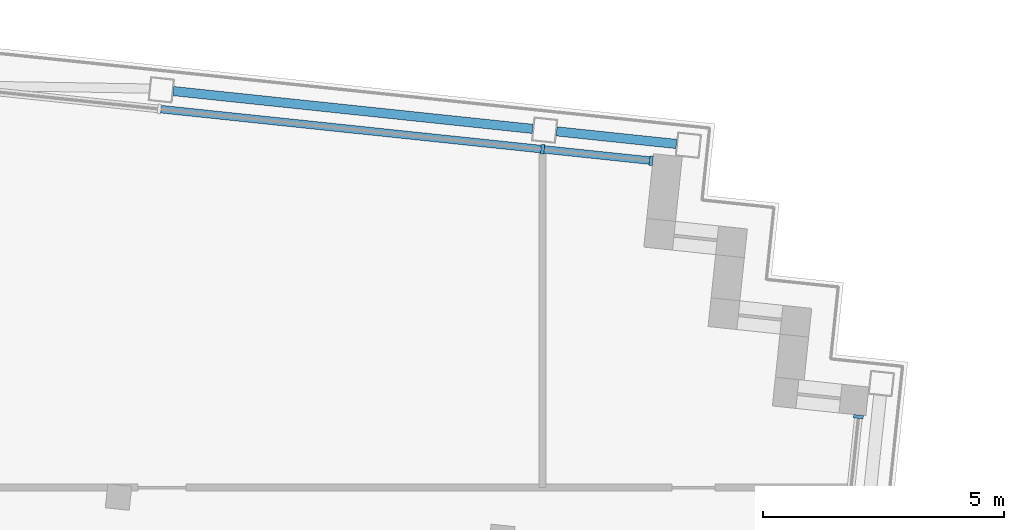
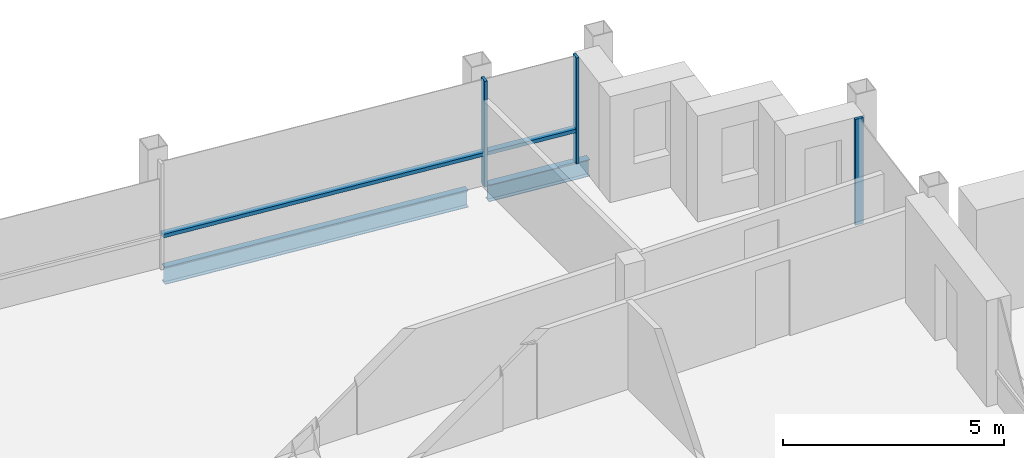
# One storey, part 6 of 16: 5 members, 2 beams, 2 elements without a shape of their own.
"""IFC4 building model written with IfcOpenShell, lengths in metres."""

from ifc_helpers import new_model, si_unit, direction, frame, origin, origin_2d, place, context, subcontext, project, spatial, rectangle, i_section, extrude, material, material_profile, profile_set, type_object, element, aggregate, save


model = new_model("IFC4")

# Units and contexts
model_context = context("Model", 3, precision=1e-05, world=origin(), true_north=direction((0.0, 1.0)))
body_context = subcontext(model_context, "Body", "Model", "MODEL_VIEW")
ifc_project = project(units=[si_unit("LENGTHUNIT", "METRE"), si_unit("AREAUNIT", "SQUARE_METRE"), si_unit("VOLUMEUNIT", "CUBIC_METRE"), si_unit("PLANEANGLEUNIT", "RADIAN"), si_unit("MASSUNIT", "GRAM", prefix="KILO")], contexts=[model_context])

# Site, building, storey
site_placement = place(None, origin())
site = spatial("IfcSite", under=ifc_project, at=site_placement, CompositionType="ELEMENT")
building_placement = place(site_placement, origin())
building = spatial("IfcBuilding", under=site, at=building_placement, Name="Vidyagriha Tower", CompositionType="ELEMENT")
storey_placement = place(building_placement, frame((0.0, 0.0, 275.5)))
storey = spatial("IfcBuildingStorey", under=building, at=storey_placement, Name="L72", CompositionType="ELEMENT", Elevation=275.5)

# Beams
ifc_material_1 = material(Name="Steel ASTM A992 Grade 50", Category="steel")
ifc_material_profile_1 = material_profile(ifc_material_1, i_section(OverallWidth=0.19189453125, OverallDepth=0.46240234375, WebThickness=0.010498046875, FlangeThickness=0.017578125, at=origin_2d()), Name="W18X60")
ifc_profile_set_1 = profile_set([ifc_material_profile_1], Name="Steel ASTM A992 Grade 50")
beam_type = type_object("IfcBeamType", Name="Edge beam W18X60", PredefinedType="SPANDREL", material=ifc_profile_set_1)
beam_1_placement = place(storey_placement, frame((18.130615234375, 19.472412109375, -0.51123046875), z_axis=(0.994519000353, -0.104556003834, 0.0), x_axis=(0.104556003834, 0.994519000353, 0.0)))
element("IfcBeam", 1, at=beam_1_placement, inside=storey, type_object=beam_type, Name="st-beam-L72-NE19", PredefinedType="SPANDREL", context=body_context, shape_type="SweptSolid", body=[
    extrude(i_section(OverallWidth=0.19189453125, OverallDepth=0.46240234375, WebThickness=0.010498046875, FlangeThickness=0.017578125, at=origin_2d()), origin(), (0.0, 0.0, 1.0), 7.5),
])
beam_2_placement = place(storey_placement, frame((26.0869140625, 18.635986328125, -0.51123046875), z_axis=(0.994524701544, -0.104501760842, 0.0), x_axis=(0.104501760842, 0.994524701544, 0.0)))
element("IfcBeam", 2, at=beam_2_placement, inside=storey, type_object=beam_type, Name="st-beam-L72-NE20", PredefinedType="SPANDREL", context=body_context, shape_type="SweptSolid", body=[
    extrude(i_section(OverallWidth=0.19189453125, OverallDepth=0.46240234375, WebThickness=0.010498046875, FlangeThickness=0.017578125, at=origin_2d()), origin(), (0.0, 0.0, 1.0), 2.499755859375),
])

# Curtain wall, members
ifc_material_2 = material(Name="Aluminium and glass curtain wall", Category="aluminium")
curtain_wall_type = type_object("IfcCurtainWallType", Name="Dwelling skin unitised curtain wall", PredefinedType="USERDEFINED", material=ifc_material_2)
curtain_wall_1_placement = place(storey_placement, origin())
curtain_wall_1 = element("IfcCurtainWall", 3, at=curtain_wall_1_placement, inside=storey, type_object=curtain_wall_type, Name="CW1 dwelling skin", ObjectType="UNITISED", PredefinedType="USERDEFINED")
ifc_material_3 = material(Name="Aluminium black anodised", Category="aluminium")
ifc_material_profile_2 = material_profile(ifc_material_3, rectangle(XDim=0.199951171875, YDim=0.070068359375, at=origin_2d()), Name="Mullion 70x200 black aluminium")
ifc_profile_set_2 = profile_set([ifc_material_profile_2], Name="Aluminium black anodised")
member_type_1 = type_object("IfcMemberType", Name="Mullion 70x200 black aluminium", PredefinedType="MULLION", material=ifc_profile_set_2)
member_1_placement = place(storey_placement, frame((28.049072265625, 18.027587890625, 0.0), z_axis=(0.0, 0.0, 1.0), x_axis=(-0.104528852722, -0.994521854435, 0.0)))
member_1 = element("IfcMember", 4, at=member_1_placement, type_object=member_type_1, Name="CW1 mullion 1", PredefinedType="MULLION", context=body_context, shape_type="SweptSolid", body=[
    extrude(rectangle(XDim=0.199951171875, YDim=0.070068359375, at=origin_2d()), origin(), (0.0, 0.0, 1.0), 2.919921875),
])
member_2_placement = place(storey_placement, frame((25.79638671875, 18.264404296875, 0.0), z_axis=(0.0, 0.0, 1.0), x_axis=(-0.104528852722, -0.994521854435, 0.0)))
member_2 = element("IfcMember", 5, at=member_2_placement, type_object=member_type_1, Name="CW1 mullion 2", PredefinedType="MULLION", context=body_context, shape_type="SweptSolid", body=[
    extrude(rectangle(XDim=0.199951171875, YDim=0.070068359375, at=origin_2d()), origin(), (0.0, 0.0, 1.0), 2.919921875),
])

# Curtain wall, member
curtain_wall_2_placement = place(storey_placement, origin())
curtain_wall_2 = element("IfcCurtainWall", 6, at=curtain_wall_2_placement, inside=storey, type_object=curtain_wall_type, Name="CW1 dwelling skin", ObjectType="UNITISED", PredefinedType="USERDEFINED")
member_3_placement = place(storey_placement, frame((32.35205078125, 12.713623046875, 0.0), z_axis=(0.0, 0.0, 1.0), x_axis=(-0.994523205451, 0.10451599791, 0.0)))
member_3 = element("IfcMember", 7, at=member_3_placement, type_object=member_type_1, Name="CW1 mullion 2", PredefinedType="MULLION", context=body_context, shape_type="SweptSolid", body=[
    extrude(rectangle(XDim=0.199951171875, YDim=0.070068359375, at=origin_2d()), origin(), (0.0, 0.0, 1.0), 2.919921875),
])
aggregate(curtain_wall_2, [member_3])

# Member
ifc_material_4 = material(Name="Aluminium black anodised", Category="aluminium")
ifc_material_profile_3 = material_profile(ifc_material_4, rectangle(XDim=0.159912109375, YDim=0.10009765625, at=origin_2d()), Name="Transom 100x160 black aluminium")
ifc_profile_set_3 = profile_set([ifc_material_profile_3], Name="Aluminium black anodised")
member_type_2 = type_object("IfcMemberType", Name="Transom 100x160 black aluminium", PredefinedType="USERDEFINED", material=ifc_profile_set_3)
member_4_placement = place(storey_placement, frame((28.01416015625, 18.03125, 0.89990234375), z_axis=(-0.994518853465, 0.104557400991, 0.0), x_axis=(-0.104557400991, -0.994518853465, 0.0)))
member_4 = element("IfcMember", 8, at=member_4_placement, type_object=member_type_2, Name="CW1 transom 1.1", ObjectType="TRANSOM", PredefinedType="USERDEFINED", context=body_context, shape_type="SweptSolid", body=[
    extrude(rectangle(XDim=0.159912109375, YDim=0.10009765625, at=origin_2d()), origin(), (0.0, 0.0, 1.0), 2.19482421875),
])

member_5_placement = place(storey_placement, frame((25.761474609375, 18.26806640625, 0.89990234375), z_axis=(-0.994522478205, 0.104522917794, 0.0), x_axis=(-0.104522917794, -0.994522478205, 0.0)))
member_5 = element("IfcMember", 9, at=member_5_placement, type_object=member_type_2, Name="CW1 transom 2.1", ObjectType="TRANSOM", PredefinedType="USERDEFINED", context=body_context, shape_type="SweptSolid", body=[
    extrude(rectangle(XDim=0.159912109375, YDim=0.10009765625, at=origin_2d()), origin(), (0.0, 0.0, 1.0), 7.929931640625),
])

aggregate(curtain_wall_1, [member_1, member_2, member_4, member_5])

save(model, "model.ifc")
